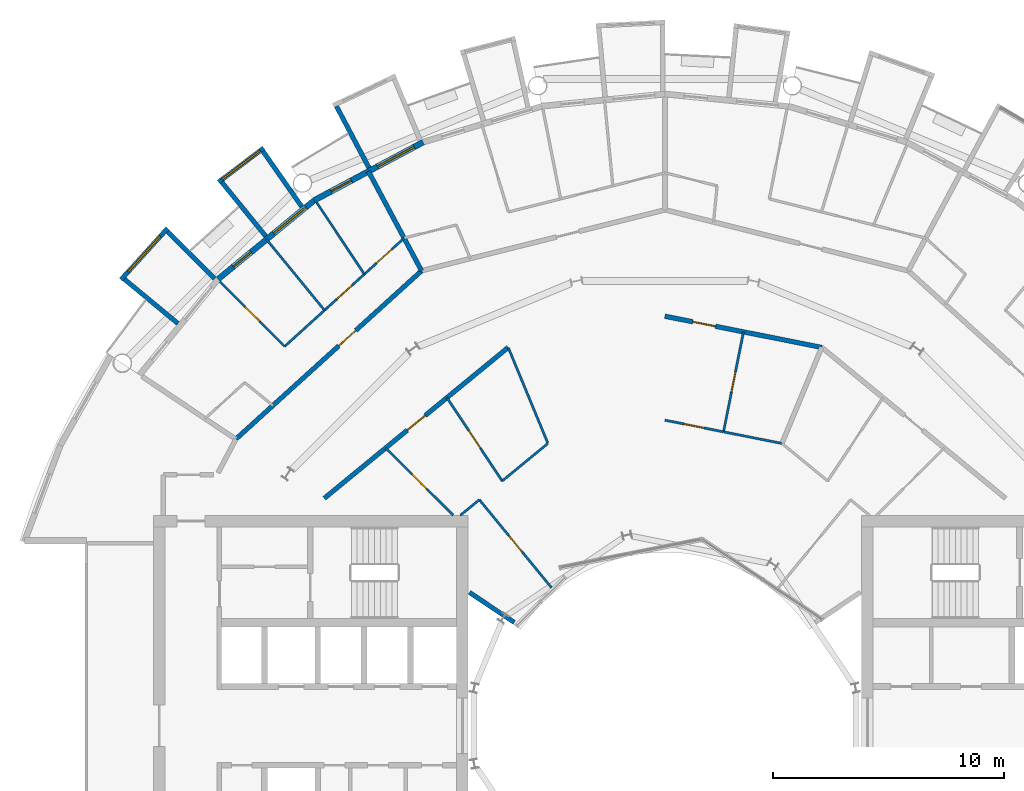
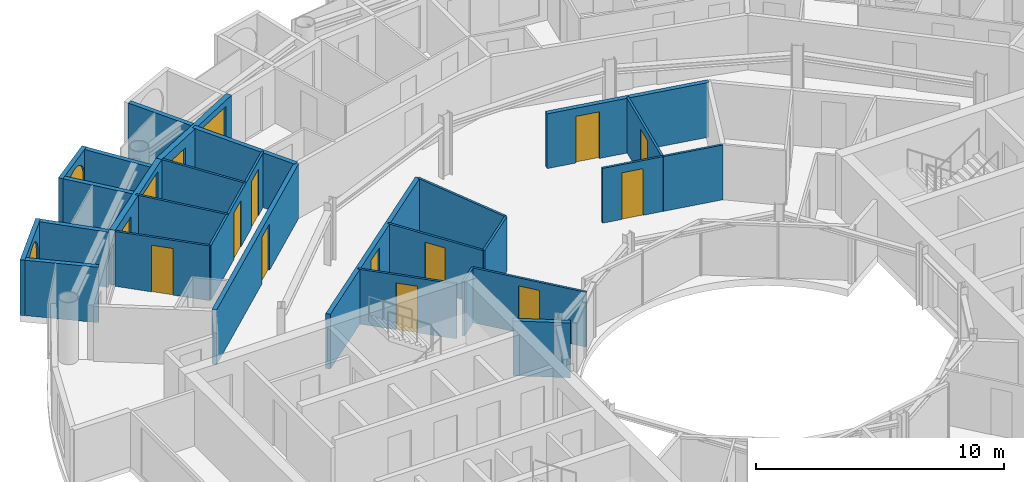
# One storey, part 20 of 26: 27 walls, 13 doors, 4 windows, 17 openings.
"""IFC4 building model written with IfcOpenShell, lengths in metres."""

from ifc_helpers import new_model, si_unit, direction, frame, frame_2d, origin, place, context, subcontext, project, spatial, rectangle, circle, extrude, material, layer, layer_set, type_object, element, fill, save


model = new_model("IFC4")

# Units and contexts
model_context = context("Model", 3, precision=1e-05, world=origin(), true_north=direction((0.0, 1.0)))
body_context = subcontext(model_context, "Body", "Model", "MODEL_VIEW")
ifc_project = project(units=[si_unit("LENGTHUNIT", "METRE"), si_unit("AREAUNIT", "SQUARE_METRE"), si_unit("VOLUMEUNIT", "CUBIC_METRE"), si_unit("PLANEANGLEUNIT", "RADIAN"), si_unit("MASSUNIT", "GRAM", prefix="KILO")], contexts=[model_context])

# Site, building, storey
site_placement = place(None, origin())
site = spatial("IfcSite", under=ifc_project, at=site_placement, CompositionType="ELEMENT")
building_placement = place(site_placement, origin())
building = spatial("IfcBuilding", under=site, at=building_placement, Name="Maasbend Ring Residences", CompositionType="ELEMENT")
storey_placement = place(building_placement, frame((0.0, 0.0, 161.60009765625)))
storey = spatial("IfcBuildingStorey", under=building, at=storey_placement, Name="L46", CompositionType="ELEMENT", Elevation=161.60009765625)

# Wall, opening, door
ifc_material_1 = material(Name="Concrete C30/37", Category="concrete")
ifc_layer_1 = layer(ifc_material_1, 0.199951171875)
ifc_layer_set_1 = layer_set([ifc_layer_1], Name="Concrete C30/37")
wall_type_1 = type_object("IfcWallType", Name="CORRIDOR WALL 200 CONCRETE", PredefinedType="PARTITIONING", material=ifc_layer_set_1)
wall_1_placement = place(storey_placement, frame((-14.717041015625, 9.833984375, 0.0), z_axis=(0.0, 0.0, 1.0), x_axis=(0.773034536097, 0.634363938131, 0.0)))
wall_1 = element("IfcWall", 1, at=wall_1_placement, inside=storey, type_object=wall_type_1, Name="U-L46-w101", PredefinedType="PARTITIONING", context=body_context, shape_type="SweptSolid", body=[
    extrude(rectangle(XDim=10.276611328125, YDim=0.199951171875, at=frame_2d((5.13818359375, 0.0))), origin(), (0.0, 0.0, 1.0), 2.699951171875),
])
opening_1_placement = place(wall_1_placement, frame((4.637939453125, 0.0, 0.0)))
opening_1 = element("IfcOpeningElement", 2, at=opening_1_placement, cuts=wall_1, Name="Opening D-4628", PredefinedType="OPENING", context=body_context, shape_type="SweptSolid", body=[
    extrude(rectangle(XDim=1.0, YDim=2.300048828125, at=frame_2d((0.5, 1.14990234375))), frame((0.0, 0.10986328125, 0.0), z_axis=(0.0, -1.0, 0.0), x_axis=(1.0, 0.0, 0.0)), (0.0, 0.0, 1.0), 0.219970703125),
])
ifc_material_2 = material(Name="Timber, fire-rated, painted", Category="wood")
door_type_1 = type_object("IfcDoorType", Name="FLAT ENTRANCE DOOR 1000 X 2300 FIRE-RATED", OperationType="NOTDEFINED", PredefinedType="DOOR", material=ifc_material_2)
door_1_placement = place(opening_1_placement, origin())
door_1 = element("IfcDoor", 3, at=door_1_placement, inside=storey, type_object=door_type_1, Name="D-4628", OperationType="SINGLE_SWING_LEFT", OverallHeight=2.300048828125, OverallWidth=1.0, PredefinedType="DOOR", context=body_context, shape_type="SweptSolid", body=[
    extrude(rectangle(XDim=1.0, YDim=2.300048828125, at=frame_2d((0.5, 1.14990234375))), frame((0.0, 0.02490234375, 0.0), z_axis=(0.0, -1.0, 0.0), x_axis=(1.0, 0.0, 0.0)), (0.0, 0.0, 1.0), 0.050048828125),
])
fill(opening_1, door_1)

wall_2_placement = place(storey_placement, frame((-0.001953125, 17.699951171875, 0.0), z_axis=(0.0, 0.0, 1.0), x_axis=(0.980804334721, -0.194994505033, 0.0)))
wall_2 = element("IfcWall", 4, at=wall_2_placement, inside=storey, type_object=wall_type_1, Name="U-L46-w103", PredefinedType="PARTITIONING", context=body_context, shape_type="SweptSolid", body=[
    extrude(rectangle(XDim=6.907470703125, YDim=0.199951171875, at=frame_2d((3.45361328125, 0.0))), origin(), (0.0, 0.0, 1.0), 2.699951171875),
])
opening_2_placement = place(wall_2_placement, frame((1.22802734375, 0.0, 0.0)))
opening_2 = element("IfcOpeningElement", 5, at=opening_2_placement, cuts=wall_2, Name="Opening D-4625", PredefinedType="OPENING", context=body_context, shape_type="SweptSolid", body=[
    extrude(rectangle(XDim=1.0, YDim=2.300048828125, at=frame_2d((0.5, 1.14990234375))), frame((0.0, 0.10986328125, 0.0), z_axis=(0.0, -1.0, 0.0), x_axis=(1.0, 0.0, 0.0)), (0.0, 0.0, 1.0), 0.219970703125),
])
door_2_placement = place(opening_2_placement, origin())
door_2 = element("IfcDoor", 6, at=door_2_placement, inside=storey, type_object=door_type_1, Name="D-4625", OperationType="SINGLE_SWING_LEFT", OverallHeight=2.300048828125, OverallWidth=1.0, PredefinedType="DOOR", context=body_context, shape_type="SweptSolid", body=[
    extrude(rectangle(XDim=1.0, YDim=2.300048828125, at=frame_2d((0.5, 1.14990234375))), frame((0.0, 0.02490234375, 0.0), z_axis=(0.0, -1.0, 0.0), x_axis=(1.0, 0.0, 0.0)), (0.0, 0.0, 1.0), 0.050048828125),
])
fill(opening_2, door_2)

wall_3_placement = place(storey_placement, frame((-18.5419921875, 12.388916015625, 0.0), z_axis=(0.0, 0.0, 1.0), x_axis=(0.740947367223, 0.671563101283, 0.0)))
wall_3 = element("IfcWall", 7, at=wall_3_placement, inside=storey, type_object=wall_type_1, Name="U-L46-w104", PredefinedType="PARTITIONING", context=body_context, shape_type="SweptSolid", body=[
    extrude(rectangle(XDim=10.83740234375, YDim=0.199951171875, at=frame_2d((5.418701171875, 0.0))), origin(), (0.0, 0.0, 1.0), 2.699951171875),
])
opening_3_placement = place(wall_3_placement, frame((6.001953125, 0.0, 0.0)))
opening_3 = element("IfcOpeningElement", 8, at=opening_3_placement, cuts=wall_3, Name="Opening D-4616", PredefinedType="OPENING", context=body_context, shape_type="SweptSolid", body=[
    extrude(rectangle(XDim=1.0, YDim=2.300048828125, at=frame_2d((0.5, 1.14990234375))), frame((0.0, 0.10986328125, 0.0), z_axis=(0.0, -1.0, 0.0), x_axis=(1.0, 0.0, 0.0)), (0.0, 0.0, 1.0), 0.219970703125),
])
door_3_placement = place(opening_3_placement, origin())
door_3 = element("IfcDoor", 9, at=door_3_placement, inside=storey, type_object=door_type_1, Name="D-4616", OperationType="SINGLE_SWING_RIGHT", OverallHeight=2.300048828125, OverallWidth=1.0, PredefinedType="DOOR", context=body_context, shape_type="SweptSolid", body=[
    extrude(rectangle(XDim=1.0, YDim=2.300048828125, at=frame_2d((0.5, 1.14990234375))), frame((0.0, 0.02490234375, 0.0), z_axis=(0.0, -1.0, 0.0), x_axis=(1.0, 0.0, 0.0)), (0.0, 0.0, 1.0), 0.050048828125),
])
fill(opening_3, door_3)

# Wall
ifc_material_3 = material(Name="Pale anodised aluminium panel", Category="aluminium")
ifc_layer_2 = layer(ifc_material_3, 0.199951171875)
ifc_layer_set_2 = layer_set([ifc_layer_2], Name="EW-BOX")
wall_type_2 = type_object("IfcWallType", Name="EW-BOX", PredefinedType="SOLIDWALL", material=ifc_layer_set_2)
wall_4_placement = place(storey_placement, frame((-12.787109375, 24.113037109375, -0.030029296875), z_axis=(0.0, 0.0, 1.0), x_axis=(-0.468365282436, 0.883534924159, 0.0)))
element("IfcWall", 10, at=wall_4_placement, inside=storey, type_object=wall_type_2, Name="Box side wall N15 right", PredefinedType="SOLIDWALL", context=body_context, shape_type="SweptSolid", body=[
    extrude(rectangle(XDim=3.006103515625, YDim=0.199951171875, at=frame_2d((1.5029296875, 0.0))), origin(), (0.0, 0.0, 1.0), 2.72998046875),
])

# Wall, opening, window
wall_5_placement = place(storey_placement, frame((-17.3369140625, 24.971923828125, -0.030029296875), z_axis=(0.0, 0.0, 1.0), x_axis=(-0.797887588059, -0.602806268067, 0.0)))
wall_5 = element("IfcWall", 11, at=wall_5_placement, inside=storey, type_object=wall_type_2, Name="Box front N17", PredefinedType="SOLIDWALL", context=body_context, shape_type="SweptSolid", body=[
    extrude(rectangle(XDim=2.446533203125, YDim=0.199951171875, at=frame_2d((1.22314453125, 0.0))), origin(), (0.0, 0.0, 1.0), 2.72998046875),
])
opening_4_placement = place(wall_5_placement, frame((0.182861328125, 0.0, 0.330078125)))
opening_4 = element("IfcOpeningElement", 12, at=opening_4_placement, cuts=wall_5, Name="Opening W-RD", PredefinedType="OPENING", context=body_context, shape_type="SweptSolid", body=[
    extrude(circle(Radius=1.0400390625, at=frame_2d((1.0400390625, 1.0400390625))), frame((0.0, 0.10986328125, 0.0), z_axis=(0.0, -1.0, 0.0), x_axis=(1.0, 0.0, 0.0)), (0.0, 0.0, 1.0), 0.219970703125),
])
ifc_material_4 = material(Name="Aluminium and clear glass", Category="aluminium")
window_type_1 = type_object("IfcWindowType", Name="W-RD", PartitioningType="SINGLE_PANEL", PredefinedType="WINDOW", material=ifc_material_4)
window_1_placement = place(opening_4_placement, origin())
window_1 = element("IfcWindow", 13, at=window_1_placement, inside=storey, type_object=window_type_1, Name="Round window N17", OverallHeight=2.080078125, OverallWidth=2.080078125, PartitioningType="SINGLE_PANEL", PredefinedType="WINDOW", context=body_context, shape_type="SweptSolid", body=[
    extrude(circle(Radius=1.0400390625, at=frame_2d((1.0400390625, 1.0400390625))), frame((0.0, 0.030029296875, 0.0), z_axis=(0.0, -1.0, 0.0), x_axis=(1.0, 0.0, 0.0)), (0.0, 0.0, 1.0), 0.06005859375),
])
fill(opening_4, window_1)

# Walls
wall_6_placement = place(storey_placement, frame((-15.68798828125, 22.43310546875, -0.030029296875), z_axis=(0.0, 0.0, 1.0), x_axis=(-0.573260687834, 0.819373043115, 0.0)))
element("IfcWall", 14, at=wall_6_placement, inside=storey, type_object=wall_type_2, Name="Box side wall N17 left", PredefinedType="SOLIDWALL", context=body_context, shape_type="SweptSolid", body=[
    extrude(rectangle(XDim=2.92529296875, YDim=0.199951171875, at=frame_2d((1.462646484375, 0.0))), origin(), (0.0, 0.0, 1.0), 2.72998046875),
])
wall_7_placement = place(storey_placement, frame((-17.24609375, 21.155029296875, -0.030029296875), z_axis=(0.0, 0.0, 1.0), x_axis=(-0.631741648902, 0.775179004516, 0.0)))
element("IfcWall", 15, at=wall_7_placement, inside=storey, type_object=wall_type_2, Name="Box side wall N17 right", PredefinedType="SOLIDWALL", context=body_context, shape_type="SweptSolid", body=[
    extrude(rectangle(XDim=3.005859375, YDim=0.199951171875, at=frame_2d((1.5029296875, 0.0))), origin(), (0.0, 0.0, 1.0), 2.72998046875),
])

# Wall, opening, window
wall_8_placement = place(storey_placement, frame((-21.492919921875, 21.5, -0.030029296875), z_axis=(0.0, 0.0, 1.0), x_axis=(-0.671506829416, -0.740998365753, 0.0)))
wall_8 = element("IfcWall", 16, at=wall_8_placement, inside=storey, type_object=wall_type_2, Name="Box front N19", PredefinedType="SOLIDWALL", context=body_context, shape_type="SweptSolid", body=[
    extrude(rectangle(XDim=2.9931640625, YDim=0.199951171875, at=frame_2d((1.49658203125, 0.0))), origin(), (0.0, 0.0, 1.0), 2.72998046875),
])
opening_5_placement = place(wall_8_placement, frame((0.45654296875, 0.0, 0.330078125)))
opening_5 = element("IfcOpeningElement", 17, at=opening_5_placement, cuts=wall_8, Name="Opening W-RD", PredefinedType="OPENING", context=body_context, shape_type="SweptSolid", body=[
    extrude(circle(Radius=1.0400390625, at=frame_2d((1.0400390625, 1.0400390625))), frame((0.0, 0.10986328125, 0.0), z_axis=(0.0, -1.0, 0.0), x_axis=(1.0, 0.0, 0.0)), (0.0, 0.0, 1.0), 0.219970703125),
])
window_2_placement = place(opening_5_placement, origin())
window_2 = element("IfcWindow", 18, at=window_2_placement, inside=storey, type_object=window_type_1, Name="Round window N19", OverallHeight=2.080078125, OverallWidth=2.080078125, PartitioningType="SINGLE_PANEL", PredefinedType="WINDOW", context=body_context, shape_type="SweptSolid", body=[
    extrude(circle(Radius=1.0400390625, at=frame_2d((1.0400390625, 1.0400390625))), frame((0.0, 0.030029296875, 0.0), z_axis=(0.0, -1.0, 0.0), x_axis=(1.0, 0.0, 0.0)), (0.0, 0.0, 1.0), 0.06005859375),
])
fill(opening_5, window_2)

# Walls
wall_9_placement = place(storey_placement, frame((-19.449951171875, 19.322998046875, -0.030029296875), z_axis=(0.0, 0.0, 1.0), x_axis=(-0.709727076896, 0.704476739375, 0.0)))
element("IfcWall", 19, at=wall_9_placement, inside=storey, type_object=wall_type_2, Name="Box side wall N19 left", PredefinedType="SOLIDWALL", context=body_context, shape_type="SweptSolid", body=[
    extrude(rectangle(XDim=2.883056640625, YDim=0.199951171875, at=frame_2d((1.44140625, 0.0))), origin(), (0.0, 0.0, 1.0), 2.72998046875),
])
wall_10_placement = place(storey_placement, frame((-21.041015625, 17.384033203125, -0.030029296875), z_axis=(0.0, 0.0, 1.0), x_axis=(-0.770784861449, 0.63709551667, 0.0)))
element("IfcWall", 20, at=wall_10_placement, inside=storey, type_object=wall_type_2, Name="Box side wall N19 right", PredefinedType="SOLIDWALL", context=body_context, shape_type="SweptSolid", body=[
    extrude(rectangle(XDim=3.005859375, YDim=0.199951171875, at=frame_2d((1.5029296875, 0.0))), origin(), (0.0, 0.0, 1.0), 2.72998046875),
])

# Wall, openings, door, window
ifc_material_5 = material(Name="Aluminium clad insulated panel", Category="aluminium")
ifc_layer_3 = layer(ifc_material_5, 0.25)
ifc_layer_set_3 = layer_set([ifc_layer_3], Name="EW-GL")
wall_type_3 = type_object("IfcWallType", Name="EW-GL", PredefinedType="SOLIDWALL", material=ifc_layer_set_3)
wall_11_placement = place(storey_placement, frame((-10.447021484375, 25.221923828125, 0.0), z_axis=(0.0, 0.0, 1.0), x_axis=(-0.881915646801, -0.471407246368, 0.0)))
wall_11 = element("IfcWall", 21, at=wall_11_placement, inside=storey, type_object=wall_type_3, Name="External wall N08", PredefinedType="SOLIDWALL", context=body_context, shape_type="SweptSolid", body=[
    extrude(rectangle(XDim=5.35205078125, YDim=0.25, at=frame_2d((2.676025390625, 0.0))), origin(), (0.0, 0.0, 1.0), 2.699951171875),
])
opening_6_placement = place(wall_11_placement, frame((0.441162109375, 0.0, 0.300048828125)))
opening_6 = element("IfcOpeningElement", 22, at=opening_6_placement, cuts=wall_11, Name="Opening W-BX", PredefinedType="OPENING", context=body_context, shape_type="SweptSolid", body=[
    extrude(rectangle(XDim=1.800048828125, YDim=2.10009765625, at=frame_2d((0.89990234375, 1.050048828125))), frame((0.0, 0.135009765625, 0.0), z_axis=(0.0, -1.0, 0.0), x_axis=(1.0, 0.0, 0.0)), (0.0, 0.0, 1.0), 0.27001953125),
])
opening_7_placement = place(wall_11_placement, frame((3.510498046875, 0.0, 0.0)))
opening_7 = element("IfcOpeningElement", 23, at=opening_7_placement, cuts=wall_11, Name="Opening D-LG", PredefinedType="OPENING", context=body_context, shape_type="SweptSolid", body=[
    extrude(rectangle(XDim=1.0, YDim=2.199951171875, at=frame_2d((0.5, 1.10009765625))), frame((0.0, 0.135009765625, 0.0), z_axis=(0.0, -1.0, 0.0), x_axis=(1.0, 0.0, 0.0)), (0.0, 0.0, 1.0), 0.27001953125),
])
ifc_material_6 = material(Name="Aluminium and clear glass", Category="aluminium")
door_type_2 = type_object("IfcDoorType", Name="D-LG", OperationType="SINGLE_SWING_LEFT", PredefinedType="DOOR", material=ifc_material_6)
door_4_placement = place(opening_7_placement, origin())
door_4 = element("IfcDoor", 24, at=door_4_placement, inside=storey, type_object=door_type_2, Name="Loggia door N16", OperationType="SINGLE_SWING_LEFT", OverallHeight=2.199951171875, OverallWidth=1.0, PredefinedType="DOOR", context=body_context, shape_type="SweptSolid", body=[
    extrude(rectangle(XDim=1.0, YDim=2.199951171875, at=frame_2d((0.5, 1.10009765625))), frame((0.0, 0.02490234375, 0.0), z_axis=(0.0, -1.0, 0.0), x_axis=(1.0, 0.0, 0.0)), (0.0, 0.0, 1.0), 0.050048828125),
])
fill(opening_7, door_4)
ifc_material_7 = material(Name="Aluminium and clear glass", Category="aluminium")
window_type_2 = type_object("IfcWindowType", Name="W-BX", PartitioningType="DOUBLE_PANEL_VERTICAL", PredefinedType="WINDOW", material=ifc_material_7)
window_3_placement = place(opening_6_placement, origin())
window_3 = element("IfcWindow", 25, at=window_3_placement, inside=storey, type_object=window_type_2, Name="Window N15 room to box", OverallHeight=2.10009765625, OverallWidth=1.800048828125, PartitioningType="SINGLE_PANEL", PredefinedType="WINDOW", context=body_context, shape_type="SweptSolid", body=[
    extrude(rectangle(XDim=1.800048828125, YDim=2.10009765625, at=frame_2d((0.89990234375, 1.050048828125))), frame((0.0, 0.030029296875, 0.0), z_axis=(0.0, -1.0, 0.0), x_axis=(1.0, 0.0, 0.0)), (0.0, 0.0, 1.0), 0.06005859375),
])
fill(opening_6, window_3)

wall_12_placement = place(storey_placement, frame((-15.1669921875, 22.698974609375, 0.0), z_axis=(0.0, 0.0, 1.0), x_axis=(-0.773019449054, -0.634382322723, 0.0)))
wall_12 = element("IfcWall", 26, at=wall_12_placement, inside=storey, type_object=wall_type_3, Name="External wall N09", PredefinedType="SOLIDWALL", context=body_context, shape_type="SweptSolid", body=[
    extrude(rectangle(XDim=5.351806640625, YDim=0.25, at=frame_2d((2.67578125, 0.0))), origin(), (0.0, 0.0, 1.0), 2.699951171875),
])
opening_8_placement = place(wall_12_placement, frame((0.441162109375, 0.0, 0.300048828125)))
opening_8 = element("IfcOpeningElement", 27, at=opening_8_placement, cuts=wall_12, Name="Opening W-BX", PredefinedType="OPENING", context=body_context, shape_type="SweptSolid", body=[
    extrude(rectangle(XDim=1.800048828125, YDim=2.10009765625, at=frame_2d((0.89990234375, 1.050048828125))), frame((0.0, 0.135009765625, 0.0), z_axis=(0.0, -1.0, 0.0), x_axis=(1.0, 0.0, 0.0)), (0.0, 0.0, 1.0), 0.27001953125),
])
opening_9_placement = place(wall_12_placement, frame((3.510498046875, 0.0, 0.0)))
opening_9 = element("IfcOpeningElement", 28, at=opening_9_placement, cuts=wall_12, Name="Opening D-LG", PredefinedType="OPENING", context=body_context, shape_type="SweptSolid", body=[
    extrude(rectangle(XDim=1.0, YDim=2.199951171875, at=frame_2d((0.5, 1.10009765625))), frame((0.0, 0.135009765625, 0.0), z_axis=(0.0, -1.0, 0.0), x_axis=(1.0, 0.0, 0.0)), (0.0, 0.0, 1.0), 0.27001953125),
])
door_5_placement = place(opening_9_placement, origin())
door_5 = element("IfcDoor", 29, at=door_5_placement, inside=storey, type_object=door_type_2, Name="Loggia door N18", OperationType="SINGLE_SWING_LEFT", OverallHeight=2.199951171875, OverallWidth=1.0, PredefinedType="DOOR", context=body_context, shape_type="SweptSolid", body=[
    extrude(rectangle(XDim=1.0, YDim=2.199951171875, at=frame_2d((0.5, 1.10009765625))), frame((0.0, 0.02490234375, 0.0), z_axis=(0.0, -1.0, 0.0), x_axis=(1.0, 0.0, 0.0)), (0.0, 0.0, 1.0), 0.050048828125),
])
fill(opening_9, door_5)
window_4_placement = place(opening_8_placement, origin())
window_4 = element("IfcWindow", 30, at=window_4_placement, inside=storey, type_object=window_type_2, Name="Window N17 room to box", OverallHeight=2.10009765625, OverallWidth=1.800048828125, PartitioningType="SINGLE_PANEL", PredefinedType="WINDOW", context=body_context, shape_type="SweptSolid", body=[
    extrude(rectangle(XDim=1.800048828125, YDim=2.10009765625, at=frame_2d((0.89990234375, 1.050048828125))), frame((0.0, 0.030029296875, 0.0), z_axis=(0.0, -1.0, 0.0), x_axis=(1.0, 0.0, 0.0)), (0.0, 0.0, 1.0), 0.06005859375),
])
fill(opening_8, window_4)

# Wall, opening, door
ifc_material_8 = material(Name="Gypsum board on steel studs", Category="steel")
ifc_layer_4 = layer(ifc_material_8, 0.10009765625)
ifc_layer_set_4 = layer_set([ifc_layer_4], Name="PARTITION 100 GYPSUM")
wall_type_4 = type_object("IfcWallType", Name="PARTITION 100 GYPSUM", PredefinedType="PARTITIONING", material=ifc_layer_set_4)
wall_13_placement = place(storey_placement, frame((-19.23388671875, 19.197021484375, 0.0), z_axis=(0.0, 0.0, 1.0), x_axis=(0.707722727509, -0.706490297858, 0.0)))
wall_13 = element("IfcWall", 31, at=wall_13_placement, inside=storey, type_object=wall_type_4, Name="U-L46-w034", PredefinedType="PARTITIONING", context=body_context, shape_type="SweptSolid", body=[
    extrude(rectangle(XDim=3.9619140625, YDim=0.10009765625, at=frame_2d((1.98095703125, 0.0))), origin(), (0.0, 0.0, 1.0), 2.699951171875),
])
opening_10_placement = place(wall_13_placement, frame((1.531005859375, 0.0, 0.0)))
opening_10 = element("IfcOpeningElement", 32, at=opening_10_placement, cuts=wall_13, Name="Opening D-4618", PredefinedType="OPENING", context=body_context, shape_type="SweptSolid", body=[
    extrude(rectangle(XDim=0.89990234375, YDim=2.300048828125, at=frame_2d((0.449951171875, 1.14990234375))), frame((0.0, 0.06005859375, 0.0), z_axis=(0.0, -1.0, 0.0), x_axis=(1.0, 0.0, 0.0)), (0.0, 0.0, 1.0), 0.1201171875),
])
ifc_material_9 = material(Name="Timber, painted", Category="wood")
door_type_3 = type_object("IfcDoorType", Name="INTERNAL DOOR 900 X 2300", OperationType="NOTDEFINED", PredefinedType="DOOR", material=ifc_material_9)
door_6_placement = place(opening_10_placement, origin())
door_6 = element("IfcDoor", 33, at=door_6_placement, inside=storey, type_object=door_type_3, Name="D-4618", OperationType="SINGLE_SWING_LEFT", OverallHeight=2.300048828125, OverallWidth=0.89990234375, PredefinedType="DOOR", context=body_context, shape_type="SweptSolid", body=[
    extrude(rectangle(XDim=0.89990234375, YDim=2.300048828125, at=frame_2d((0.449951171875, 1.14990234375))), frame((0.0, 0.02490234375, 0.0), z_axis=(0.0, -1.0, 0.0), x_axis=(1.0, 0.0, 0.0)), (0.0, 0.0, 1.0), 0.050048828125),
])
fill(opening_10, door_6)

# Walls
wall_14_placement = place(storey_placement, frame((-17.218994140625, 21.02294921875, 0.0), z_axis=(0.0, 0.0, 1.0), x_axis=(0.633590098448, -0.773668913133, 0.0)))
element("IfcWall", 34, at=wall_14_placement, inside=storey, type_object=wall_type_4, Name="U-L46-w038", PredefinedType="PARTITIONING", context=body_context, shape_type="SweptSolid", body=[
    extrude(rectangle(XDim=3.961669921875, YDim=0.10009765625, at=frame_2d((1.98095703125, 0.0))), origin(), (0.0, 0.0, 1.0), 2.699951171875),
])
wall_15_placement = place(storey_placement, frame((-15.053955078125, 22.6240234375, 0.0), z_axis=(0.0, 0.0, 1.0), x_axis=(0.553823887887, -0.83263383381, 0.0)))
element("IfcWall", 35, at=wall_15_placement, inside=storey, type_object=wall_type_4, Name="U-L46-w041", PredefinedType="PARTITIONING", context=body_context, shape_type="SweptSolid", body=[
    extrude(rectangle(XDim=3.730224609375, YDim=0.10009765625, at=frame_2d((1.865234375, 0.0))), origin(), (0.0, 0.0, 1.0), 2.699951171875),
])

# Wall, opening, door
wall_16_placement = place(storey_placement, frame((-12.069091796875, 12.007080078125, 0.0), z_axis=(0.0, 0.0, 1.0), x_axis=(0.708822693149, -0.705386695138, 0.0)))
wall_16 = element("IfcWall", 36, at=wall_16_placement, inside=storey, type_object=wall_type_4, Name="U-L46-w044", PredefinedType="PARTITIONING", context=body_context, shape_type="SweptSolid", body=[
    extrude(rectangle(XDim=4.12109375, YDim=0.10009765625, at=frame_2d((2.060546875, 0.0))), origin(), (0.0, 0.0, 1.0), 2.699951171875),
])
opening_11_placement = place(wall_16_placement, frame((1.611083984375, 0.0, 0.0)))
opening_11 = element("IfcOpeningElement", 37, at=opening_11_placement, cuts=wall_16, Name="Opening D-4630", PredefinedType="OPENING", context=body_context, shape_type="SweptSolid", body=[
    extrude(rectangle(XDim=0.89990234375, YDim=2.300048828125, at=frame_2d((0.449951171875, 1.14990234375))), frame((0.0, 0.06005859375, 0.0), z_axis=(0.0, -1.0, 0.0), x_axis=(1.0, 0.0, 0.0)), (0.0, 0.0, 1.0), 0.1201171875),
])
door_7_placement = place(opening_11_placement, origin())
door_7 = element("IfcDoor", 38, at=door_7_placement, inside=storey, type_object=door_type_3, Name="D-4630", OperationType="SINGLE_SWING_RIGHT", OverallHeight=2.300048828125, OverallWidth=0.89990234375, PredefinedType="DOOR", context=body_context, shape_type="SweptSolid", body=[
    extrude(rectangle(XDim=0.89990234375, YDim=2.300048828125, at=frame_2d((0.449951171875, 1.14990234375))), frame((0.0, 0.02490234375, 0.0), z_axis=(0.0, -1.0, 0.0), x_axis=(1.0, 0.0, 0.0)), (0.0, 0.0, 1.0), 0.050048828125),
])
fill(opening_11, door_7)

wall_17_placement = place(storey_placement, frame((-9.4208984375, 14.179931640625, 0.0), z_axis=(0.0, 0.0, 1.0), x_axis=(0.553303732327, -0.832979579457, 0.0)))
wall_17 = element("IfcWall", 39, at=wall_17_placement, inside=storey, type_object=wall_type_4, Name="U-L46-w046", PredefinedType="PARTITIONING", context=body_context, shape_type="SweptSolid", body=[
    extrude(rectangle(XDim=4.3193359375, YDim=0.10009765625, at=frame_2d((2.15966796875, 0.0))), origin(), (0.0, 0.0, 1.0), 2.699951171875),
])
opening_12_placement = place(wall_17_placement, frame((1.7099609375, 0.0, 0.0)))
opening_12 = element("IfcOpeningElement", 40, at=opening_12_placement, cuts=wall_17, Name="Opening D-4629", PredefinedType="OPENING", context=body_context, shape_type="SweptSolid", body=[
    extrude(rectangle(XDim=0.89990234375, YDim=2.300048828125, at=frame_2d((0.449951171875, 1.14990234375))), frame((0.0, 0.06005859375, 0.0), z_axis=(0.0, -1.0, 0.0), x_axis=(1.0, 0.0, 0.0)), (0.0, 0.0, 1.0), 0.1201171875),
])
door_8_placement = place(opening_12_placement, origin())
door_8 = element("IfcDoor", 41, at=door_8_placement, inside=storey, type_object=door_type_3, Name="D-4629", OperationType="SINGLE_SWING_RIGHT", OverallHeight=2.300048828125, OverallWidth=0.89990234375, PredefinedType="DOOR", context=body_context, shape_type="SweptSolid", body=[
    extrude(rectangle(XDim=0.89990234375, YDim=2.300048828125, at=frame_2d((0.449951171875, 1.14990234375))), frame((0.0, 0.02490234375, 0.0), z_axis=(0.0, -1.0, 0.0), x_axis=(1.0, 0.0, 0.0)), (0.0, 0.0, 1.0), 0.050048828125),
])
fill(opening_12, door_8)

wall_18_placement = place(storey_placement, frame((-8.01904296875, 9.77099609375, 0.0), z_axis=(0.0, 0.0, 1.0), x_axis=(0.634401778971, -0.773003481776, 0.0)))
wall_18 = element("IfcWall", 42, at=wall_18_placement, inside=storey, type_object=wall_type_4, Name="U-L46-w050", PredefinedType="PARTITIONING", context=body_context, shape_type="SweptSolid", body=[
    extrude(rectangle(XDim=4.919677734375, YDim=0.10009765625, at=frame_2d((2.4599609375, 0.0))), origin(), (0.0, 0.0, 1.0), 2.699951171875),
])
opening_13_placement = place(wall_18_placement, frame((2.010009765625, 0.0, 0.0)))
opening_13 = element("IfcOpeningElement", 43, at=opening_13_placement, cuts=wall_18, Name="Opening D-4631", PredefinedType="OPENING", context=body_context, shape_type="SweptSolid", body=[
    extrude(rectangle(XDim=0.89990234375, YDim=2.300048828125, at=frame_2d((0.449951171875, 1.14990234375))), frame((0.0, 0.06005859375, 0.0), z_axis=(0.0, -1.0, 0.0), x_axis=(1.0, 0.0, 0.0)), (0.0, 0.0, 1.0), 0.1201171875),
])
door_9_placement = place(opening_13_placement, origin())
door_9 = element("IfcDoor", 44, at=door_9_placement, inside=storey, type_object=door_type_3, Name="D-4631", OperationType="SINGLE_SWING_RIGHT", OverallHeight=2.300048828125, OverallWidth=0.89990234375, PredefinedType="DOOR", context=body_context, shape_type="SweptSolid", body=[
    extrude(rectangle(XDim=0.89990234375, YDim=2.300048828125, at=frame_2d((0.449951171875, 1.14990234375))), frame((0.0, 0.02490234375, 0.0), z_axis=(0.0, -1.0, 0.0), x_axis=(1.0, 0.0, 0.0)), (0.0, 0.0, 1.0), 0.050048828125),
])
fill(opening_13, door_9)

wall_19_placement = place(storey_placement, frame((2.531982421875, 12.705078125, 0.0), z_axis=(0.0, 0.0, 1.0), x_axis=(0.195273978699, 0.980748730941, 0.0)))
wall_19 = element("IfcWall", 45, at=wall_19_placement, inside=storey, type_object=wall_type_4, Name="U-L46-w065", PredefinedType="PARTITIONING", context=body_context, shape_type="SweptSolid", body=[
    extrude(rectangle(XDim=4.404541015625, YDim=0.10009765625, at=frame_2d((2.2021484375, 0.0))), origin(), (0.0, 0.0, 1.0), 2.699951171875),
])
opening_14_placement = place(wall_19_placement, frame((1.751953125, 0.0, 0.0)))
opening_14 = element("IfcOpeningElement", 46, at=opening_14_placement, cuts=wall_19, Name="Opening D-4626", PredefinedType="OPENING", context=body_context, shape_type="SweptSolid", body=[
    extrude(rectangle(XDim=0.89990234375, YDim=2.300048828125, at=frame_2d((0.449951171875, 1.14990234375))), frame((0.0, 0.06005859375, 0.0), z_axis=(0.0, -1.0, 0.0), x_axis=(1.0, 0.0, 0.0)), (0.0, 0.0, 1.0), 0.1201171875),
])
door_10_placement = place(opening_14_placement, origin())
door_10 = element("IfcDoor", 47, at=door_10_placement, inside=storey, type_object=door_type_3, Name="D-4626", OperationType="SINGLE_SWING_RIGHT", OverallHeight=2.300048828125, OverallWidth=0.89990234375, PredefinedType="DOOR", context=body_context, shape_type="SweptSolid", body=[
    extrude(rectangle(XDim=0.89990234375, YDim=2.300048828125, at=frame_2d((0.449951171875, 1.14990234375))), frame((0.0, 0.02490234375, 0.0), z_axis=(0.0, -1.0, 0.0), x_axis=(1.0, 0.0, 0.0)), (0.0, 0.0, 1.0), 0.050048828125),
])
fill(opening_14, door_10)

# Walls
wall_20_placement = place(storey_placement, frame((-8.842041015625, 9.094970703125, 0.0), z_axis=(0.0, 0.0, 1.0), x_axis=(0.772730269942, 0.634734534995, 0.0)))
element("IfcWall", 48, at=wall_20_placement, inside=storey, type_object=wall_type_4, Name="U-L46-w096", PredefinedType="PARTITIONING", context=body_context, shape_type="SweptSolid", body=[
    extrude(rectangle(XDim=1.06494140625, YDim=0.10009765625, at=frame_2d((0.532470703125, 0.0))), origin(), (0.0, 0.0, 1.0), 2.699951171875),
])
wall_21_placement = place(storey_placement, frame((-7.033935546875, 10.580078125, 0.0), z_axis=(0.0, 0.0, 1.0), x_axis=(0.772764723682, 0.634692588449, 0.0)))
element("IfcWall", 49, at=wall_21_placement, inside=storey, type_object=wall_type_4, Name="U-L46-w097", PredefinedType="PARTITIONING", context=body_context, shape_type="SweptSolid", body=[
    extrude(rectangle(XDim=2.556884765625, YDim=0.10009765625, at=frame_2d((1.2783203125, 0.0))), origin(), (0.0, 0.0, 1.0), 2.699951171875),
])

# Wall, opening, door
wall_22_placement = place(storey_placement, frame((0.0, 13.208984375, 0.0), z_axis=(0.0, 0.0, 1.0), x_axis=(0.980766092797, -0.195186759846, 0.0)))
wall_22 = element("IfcWall", 50, at=wall_22_placement, inside=storey, type_object=wall_type_4, Name="U-L46-w100", PredefinedType="PARTITIONING", context=body_context, shape_type="SweptSolid", body=[
    extrude(rectangle(XDim=2.57666015625, YDim=0.10009765625, at=frame_2d((1.288330078125, 0.0))), origin(), (0.0, 0.0, 1.0), 2.699951171875),
])
opening_15_placement = place(wall_22_placement, frame((0.837890625, 0.0, 0.0)))
opening_15 = element("IfcOpeningElement", 51, at=opening_15_placement, cuts=wall_22, Name="Opening D-4627", PredefinedType="OPENING", context=body_context, shape_type="SweptSolid", body=[
    extrude(rectangle(XDim=0.89990234375, YDim=2.300048828125, at=frame_2d((0.449951171875, 1.14990234375))), frame((0.0, 0.06005859375, 0.0), z_axis=(0.0, -1.0, 0.0), x_axis=(1.0, 0.0, 0.0)), (0.0, 0.0, 1.0), 0.1201171875),
])
door_11_placement = place(opening_15_placement, origin())
door_11 = element("IfcDoor", 52, at=door_11_placement, inside=storey, type_object=door_type_3, Name="D-4627", OperationType="SINGLE_SWING_LEFT", OverallHeight=2.300048828125, OverallWidth=0.89990234375, PredefinedType="DOOR", context=body_context, shape_type="SweptSolid", body=[
    extrude(rectangle(XDim=0.89990234375, YDim=2.300048828125, at=frame_2d((0.449951171875, 1.14990234375))), frame((0.0, 0.02490234375, 0.0), z_axis=(0.0, -1.0, 0.0), x_axis=(1.0, 0.0, 0.0)), (0.0, 0.0, 1.0), 0.050048828125),
])
fill(opening_15, door_11)

# Wall, openings, doors
wall_23_placement = place(storey_placement, frame((-16.429931640625, 16.39794921875, 0.0), z_axis=(0.0, 0.0, 1.0), x_axis=(0.740990766872, 0.671515214578, 0.0)))
wall_23 = element("IfcWall", 53, at=wall_23_placement, inside=storey, type_object=wall_type_4, Name="U-L46-w113", PredefinedType="PARTITIONING", context=body_context, shape_type="SweptSolid", body=[
    extrude(rectangle(XDim=6.96484375, YDim=0.10009765625, at=frame_2d((3.482421875, 0.0))), origin(), (0.0, 0.0, 1.0), 2.699951171875),
])
opening_16_placement = place(wall_23_placement, frame((3.034912109375, 0.0, 0.0)))
opening_16 = element("IfcOpeningElement", 54, at=opening_16_placement, cuts=wall_23, Name="Opening D-4619", PredefinedType="OPENING", context=body_context, shape_type="SweptSolid", body=[
    extrude(rectangle(XDim=0.89990234375, YDim=2.300048828125, at=frame_2d((0.449951171875, 1.14990234375))), frame((0.0, 0.06005859375, 0.0), z_axis=(0.0, -1.0, 0.0), x_axis=(1.0, 0.0, 0.0)), (0.0, 0.0, 1.0), 0.1201171875),
])
opening_17_placement = place(wall_23_placement, frame((5.35693359375, 0.0, 0.0)))
opening_17 = element("IfcOpeningElement", 55, at=opening_17_placement, cuts=wall_23, Name="Opening D-4620", PredefinedType="OPENING", context=body_context, shape_type="SweptSolid", body=[
    extrude(rectangle(XDim=0.89990234375, YDim=2.300048828125, at=frame_2d((0.449951171875, 1.14990234375))), frame((0.0, 0.06005859375, 0.0), z_axis=(0.0, -1.0, 0.0), x_axis=(1.0, 0.0, 0.0)), (0.0, 0.0, 1.0), 0.1201171875),
])
door_12_placement = place(opening_16_placement, origin())
door_12 = element("IfcDoor", 56, at=door_12_placement, inside=storey, type_object=door_type_3, Name="D-4619", OperationType="SINGLE_SWING_RIGHT", OverallHeight=2.300048828125, OverallWidth=0.89990234375, PredefinedType="DOOR", context=body_context, shape_type="SweptSolid", body=[
    extrude(rectangle(XDim=0.89990234375, YDim=2.300048828125, at=frame_2d((0.449951171875, 1.14990234375))), frame((0.0, 0.02490234375, 0.0), z_axis=(0.0, -1.0, 0.0), x_axis=(1.0, 0.0, 0.0)), (0.0, 0.0, 1.0), 0.050048828125),
])
fill(opening_16, door_12)
door_13_placement = place(opening_17_placement, origin())
door_13 = element("IfcDoor", 57, at=door_13_placement, inside=storey, type_object=door_type_3, Name="D-4620", OperationType="SINGLE_SWING_RIGHT", OverallHeight=2.300048828125, OverallWidth=0.89990234375, PredefinedType="DOOR", context=body_context, shape_type="SweptSolid", body=[
    extrude(rectangle(XDim=0.89990234375, YDim=2.300048828125, at=frame_2d((0.449951171875, 1.14990234375))), frame((0.0, 0.02490234375, 0.0), z_axis=(0.0, -1.0, 0.0), x_axis=(1.0, 0.0, 0.0)), (0.0, 0.0, 1.0), 0.050048828125),
])
fill(opening_17, door_13)

# Walls
wall_24_placement = place(storey_placement, frame((5.034912109375, 12.2080078125, 0.0), z_axis=(0.0, 0.0, 1.0), x_axis=(-0.980857356895, 0.194727618547, 0.0)))
element("IfcWall", 58, at=wall_24_placement, inside=storey, type_object=wall_type_4, Name="U-L46-w120", PredefinedType="PARTITIONING", context=body_context, shape_type="SweptSolid", body=[
    extrude(rectangle(XDim=2.536376953125, YDim=0.10009765625, at=frame_2d((1.26806640625, 0.0))), origin(), (0.0, 0.0, 1.0), 2.699951171875),
])
wall_25_placement = place(storey_placement, frame((-6.764892578125, 16.333984375, 0.0), z_axis=(0.0, 0.0, 1.0), x_axis=(0.382498794932, -0.923955990226, 0.0)))
element("IfcWall", 59, at=wall_25_placement, inside=storey, type_object=wall_type_4, Name="U-L46-w121", PredefinedType="PARTITIONING", context=body_context, shape_type="SweptSolid", body=[
    extrude(rectangle(XDim=4.449462890625, YDim=0.10009765625, at=frame_2d((2.224609375, 0.0))), origin(), (0.0, 0.0, 1.0), 2.699951171875),
])
ifc_material_10 = material(Name="Concrete C30/37", Category="concrete")
ifc_layer_5 = layer(ifc_material_10, 0.199951171875)
ifc_layer_set_5 = layer_set([ifc_layer_5], Name="Concrete C30/37")
wall_type_5 = type_object("IfcWallType", Name="PARTY WALL 200 CONCRETE", PredefinedType="PARTITIONING", material=ifc_layer_set_5)
wall_26_placement = place(storey_placement, frame((-12.81396484375, 23.964111328125, 0.0), z_axis=(0.0, 0.0, 1.0), x_axis=(0.471388689095, -0.881925565903, 0.0)))
element("IfcWall", 60, at=wall_26_placement, inside=storey, type_object=wall_type_5, Name="U-L46-w042", PredefinedType="PARTITIONING", context=body_context, shape_type="SweptSolid", body=[
    extrude(rectangle(XDim=4.874755859375, YDim=0.199951171875, at=frame_2d((2.4375, 0.0))), origin(), (0.0, 0.0, 1.0), 2.699951171875),
])
wall_27_placement = place(storey_placement, frame((-6.512939453125, 4.471923828125, 0.0), z_axis=(0.0, 0.0, 1.0), x_axis=(-0.83133816625, 0.555766905579, 0.0)))
element("IfcWall", 61, at=wall_27_placement, inside=storey, type_object=wall_type_5, Name="U-L46-w092", PredefinedType="PARTITIONING", context=body_context, shape_type="SweptSolid", body=[
    extrude(rectangle(XDim=2.322998046875, YDim=0.199951171875, at=frame_2d((1.16162109375, 0.0))), origin(), (0.0, 0.0, 1.0), 2.699951171875),
])

save(model, "model.ifc")
